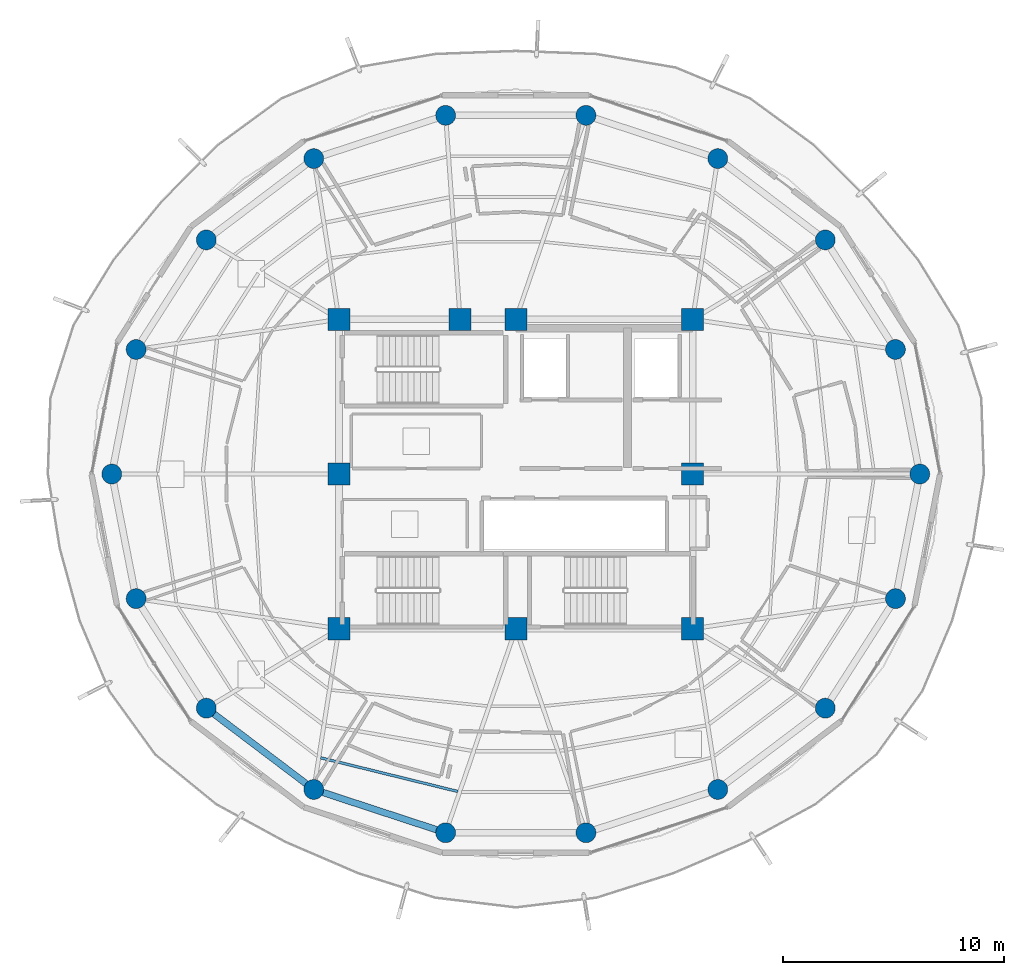
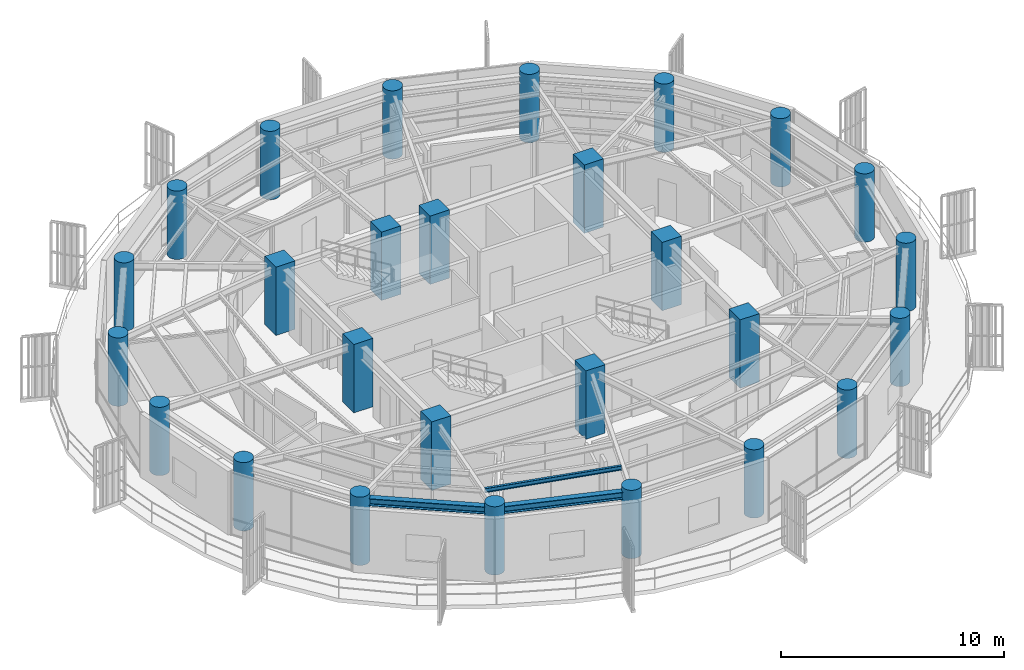
# One storey, part 1 of 23: 27 columns, 3 beams.
"""IFC4 building model written with IfcOpenShell, lengths in metres."""

from ifc_helpers import new_model, si_unit, direction, frame, origin, origin_2d, place, context, subcontext, project, spatial, rectangle, circle, i_section, extrude, material, material_profile, profile_set, type_object, element, save


model = new_model("IFC4")

# Units and contexts
model_context = context("Model", 3, precision=1e-05, world=origin(), true_north=direction((0.0, 1.0)))
body_context = subcontext(model_context, "Body", "Model", "MODEL_VIEW")
ifc_project = project(units=[si_unit("LENGTHUNIT", "METRE"), si_unit("AREAUNIT", "SQUARE_METRE"), si_unit("VOLUMEUNIT", "CUBIC_METRE"), si_unit("PLANEANGLEUNIT", "RADIAN"), si_unit("MASSUNIT", "GRAM", prefix="KILO")], contexts=[model_context])

# Site, building, storey
site_placement = place(None, origin())
site = spatial("IfcSite", under=ifc_project, at=site_placement, CompositionType="ELEMENT")
building_placement = place(site_placement, origin())
building = spatial("IfcBuilding", under=site, at=building_placement, Name="Kelanora Arch Commons", CompositionType="ELEMENT")
storey_placement = place(building_placement, frame((0.0, 0.0, 256.199951171875)))
storey = spatial("IfcBuildingStorey", under=building, at=storey_placement, Name="L65", CompositionType="ELEMENT", Elevation=256.199951171875)

# Columns
ifc_material_1 = material(Name="Concrete C50/60", Category="concrete")
ifc_material_profile_1 = material_profile(ifc_material_1, circle(Radius=0.449951171875, at=origin_2d()), Name="RCC900")
ifc_profile_set_1 = profile_set([ifc_material_profile_1], Name="Concrete C50/60")
column_type_1 = type_object("IfcColumnType", Name="COL-PERIM-Z5", PredefinedType="COLUMN", material=ifc_profile_set_1)
for number, where, z_axis, x_axis, name in (
    (1, (92.280029296875, 58.0, 0.0), (0.0, 0.0, 1.0), (1.0, 0.0, 0.0), "Perimeter Ring Column CP-00 L65"),
    (2, (91.177490234375, 63.636474609375, 0.0), (0.0, 0.0, 1.0), (1.0, 0.0, 0.0), "Perimeter Ring Column CP-02 L65"),
    (3, (88.00341796875, 68.593017578125, 0.0), (0.0, 0.0, 1.0), (1.0, 0.0, 0.0), "Perimeter Ring Column CP-04 L65"),
    (4, (83.139892578125, 72.272216796875, 0.0), (0.0, 0.0, 1.0), (1.0, 0.0, 0.0), "Perimeter Ring Column CP-06 L65"),
    (5, (77.17431640625, 74.2294921875, 0.0), (0.0, 0.0, 1.0), (1.0, 0.0, 0.0), "Perimeter Ring Column CP-08 L65"),
    (6, (70.82568359375, 74.2294921875, 0.0), (0.0, 0.0, 1.0), (1.0, 0.0, 0.0), "Perimeter Ring Column CP-10 L65"),
    (7, (64.860107421875, 72.272216796875, 0.0), (0.0, 0.0, 1.0), (1.0, 0.0, 0.0), "Perimeter Ring Column CP-12 L65"),
    (8, (59.99658203125, 68.593017578125, 0.0), (0.0, 0.0, 1.0), (1.0, 0.0, 0.0), "Perimeter Ring Column CP-14 L65"),
    (9, (56.822509765625, 63.636474609375, 0.0), (0.0, 0.0, 1.0), (1.0, 0.0, 0.0), "Perimeter Ring Column CP-16 L65"),
    (10, (55.719970703125, 58.0, 0.0), (0.0, 0.0, 1.0), (1.0, 0.0, 0.0), "Perimeter Ring Column CP-18 L65"),
    (11, (56.822509765625, 52.363525390625, 0.0), (0.0, 0.0, 1.0), (1.0, 0.0, 0.0), "Perimeter Ring Column CP-20 L65"),
    (12, (59.99658203125, 47.406982421875, 0.0), (0.0, 0.0, 1.0), (1.0, 0.0, 0.0), "Perimeter Ring Column CP-22 L65"),
    (13, (64.860107421875, 43.727783203125, 0.0), (0.0, 0.0, 1.0), (1.0, 0.0, 0.0), "Perimeter Ring Column CP-24 L65"),
    (14, (70.82568359375, 41.7705078125, 0.0), (0.0, 0.0, 1.0), (1.0, 0.0, 0.0), "Perimeter Ring Column CP-26 L65"),
    (15, (77.17431640625, 41.7705078125, 0.0), (0.0, 0.0, 1.0), (1.0, 0.0, 0.0), "Perimeter Ring Column CP-28 L65"),
    (16, (83.139892578125, 43.727783203125, 0.0), (0.0, 0.0, 1.0), (1.0, 0.0, 0.0), "Perimeter Ring Column CP-30 L65"),
    (17, (88.00341796875, 47.406982421875, 0.0), (0.0, 0.0, 1.0), (1.0, 0.0, 0.0), "Perimeter Ring Column CP-32 L65"),
    (18, (91.177490234375, 52.363525390625, 0.0), (0.0, 0.0, 1.0), (1.0, 0.0, 0.0), "Perimeter Ring Column CP-34 L65"),
):
    element("IfcColumn", number, at=place(storey_placement, frame(where, z_axis=z_axis, x_axis=x_axis)), inside=storey, type_object=column_type_1, Name=name, PredefinedType="COLUMN", context=body_context, shape_type="SweptSolid", body=[
        extrude(circle(Radius=0.449951171875, at=origin_2d()), origin(), (0.0, 0.0, 1.0), 3.75),
    ])
ifc_material_profile_2 = material_profile(ifc_material_1, rectangle(XDim=1.0, YDim=1.0, at=origin_2d()), Name="RC1000x1000")
ifc_profile_set_2 = profile_set([ifc_material_profile_2], Name="Concrete C50/60")
column_type_2 = type_object("IfcColumnType", Name="COL-PIL-HIGH", PredefinedType="PILASTER", material=ifc_profile_set_2)
for number, where, z_axis, x_axis, name in (
    (19, (66.0, 51.0, 0.0), (0.0, 0.0, 1.0), (1.0, 0.0, 0.0), "Core Pilaster Column CP1 L65"),
    (20, (74.0, 51.0, 0.0), (0.0, 0.0, 1.0), (1.0, 0.0, 0.0), "Core Pilaster Column CP2 L65"),
    (21, (82.0, 51.0, 0.0), (0.0, 0.0, 1.0), (1.0, 0.0, 0.0), "Core Pilaster Column CP3 L65"),
    (22, (82.0, 58.0, 0.0), (0.0, 0.0, 1.0), (1.0, 0.0, 0.0), "Core Pilaster Column CP4 L65"),
    (23, (82.0, 65.0, 0.0), (0.0, 0.0, 1.0), (1.0, 0.0, 0.0), "Core Pilaster Column CP5 L65"),
    (24, (74.0, 65.0, 0.0), (0.0, 0.0, 1.0), (1.0, 0.0, 0.0), "Core Pilaster Column CP6 L65"),
    (25, (71.47998046875, 65.0, 0.0), (0.0, 0.0, 1.0), (1.0, 0.0, 0.0), "Core Pilaster Column CP9 L65"),
    (26, (66.0, 65.0, 0.0), (0.0, 0.0, 1.0), (1.0, 0.0, 0.0), "Core Pilaster Column CP7 L65"),
    (27, (66.0, 58.0, 0.0), (0.0, 0.0, 1.0), (1.0, 0.0, 0.0), "Core Pilaster Column CP8 L65"),
):
    element("IfcColumn", number, at=place(storey_placement, frame(where, z_axis=z_axis, x_axis=x_axis)), inside=storey, type_object=column_type_2, Name=name, PredefinedType="PILASTER", context=body_context, shape_type="SweptSolid", body=[
        extrude(rectangle(XDim=1.0, YDim=1.0, at=origin_2d()), origin(), (0.0, 0.0, 1.0), 3.75),
    ])

# Beams
ifc_material_2 = material(Name="Steel S355", Category="steel")
ifc_material_profile_3 = material_profile(ifc_material_2, i_section(OverallWidth=0.1201171875, OverallDepth=0.239990234375, WebThickness=0.006103515625, FlangeThickness=0.009765625, FilletRadius=0.014892578125, at=origin_2d()), Name="IPE240")
ifc_profile_set_3 = profile_set([ifc_material_profile_3], Name="Steel S355")
beam_type_1 = type_object("IfcBeamType", Name="BM-JST-02", PredefinedType="JOIST", material=ifc_profile_set_3)
beam_1_placement = place(storey_placement, frame((65.17041015625, 45.162109375, 3.3701171875), z_axis=(0.971109719488, -0.23863342749, 0.0), x_axis=(0.23863342749, 0.971109719488, 0.0)))
element("IfcBeam", 28, at=beam_1_placement, inside=storey, type_object=beam_type_1, Name="Secondary Chord Joist BJC-24 L65", PredefinedType="JOIST", context=body_context, shape_type="SweptSolid", body=[
    extrude(i_section(OverallWidth=0.1201171875, OverallDepth=0.239990234375, WebThickness=0.006103515625, FlangeThickness=0.009765625, FilletRadius=0.014892578125, at=origin_2d()), origin(), (0.0, 0.0, 1.0), 6.39208984375),
])
ifc_material_profile_4 = material_profile(ifc_material_2, i_section(OverallWidth=0.300048828125, OverallDepth=0.39990234375, WebThickness=0.013427734375, FlangeThickness=0.02392578125, FilletRadius=0.027099609375, at=origin_2d()), Name="HEB400")
ifc_profile_set_4 = profile_set([ifc_material_profile_4], Name="Steel S355")
beam_type_2 = type_object("IfcBeamType", Name="BM-SPN-Z4", PredefinedType="SPANDREL", material=ifc_profile_set_4)
beam_2_placement = place(storey_placement, frame((59.99658203125, 47.406982421875, 3.2900390625), z_axis=(0.797509460967, -0.603306439273, 0.0), x_axis=(0.603306439273, 0.797509460967, 0.0)))
element("IfcBeam", 29, at=beam_2_placement, inside=storey, type_object=beam_type_2, Name="Perimeter Spandrel Beam BS-22 L65", PredefinedType="SPANDREL", context=body_context, shape_type="SweptSolid", body=[
    extrude(i_section(OverallWidth=0.300048828125, OverallDepth=0.39990234375, WebThickness=0.013427734375, FlangeThickness=0.02392578125, FilletRadius=0.027099609375, at=origin_2d()), origin(), (0.0, 0.0, 1.0), 6.098388671875),
])
beam_3_placement = place(storey_placement, frame((64.860107421875, 43.727783203125, 3.2900390625), z_axis=(0.950165923039, -0.311744636996, 0.0), x_axis=(0.311744636996, 0.950165923039, 0.0)))
element("IfcBeam", 30, at=beam_3_placement, inside=storey, type_object=beam_type_2, Name="Perimeter Spandrel Beam BS-24 L65", PredefinedType="SPANDREL", context=body_context, shape_type="SweptSolid", body=[
    extrude(i_section(OverallWidth=0.300048828125, OverallDepth=0.39990234375, WebThickness=0.013427734375, FlangeThickness=0.02392578125, FilletRadius=0.027099609375, at=origin_2d()), origin(), (0.0, 0.0, 1.0), 6.278564453125),
])

save(model, "model.ifc")
